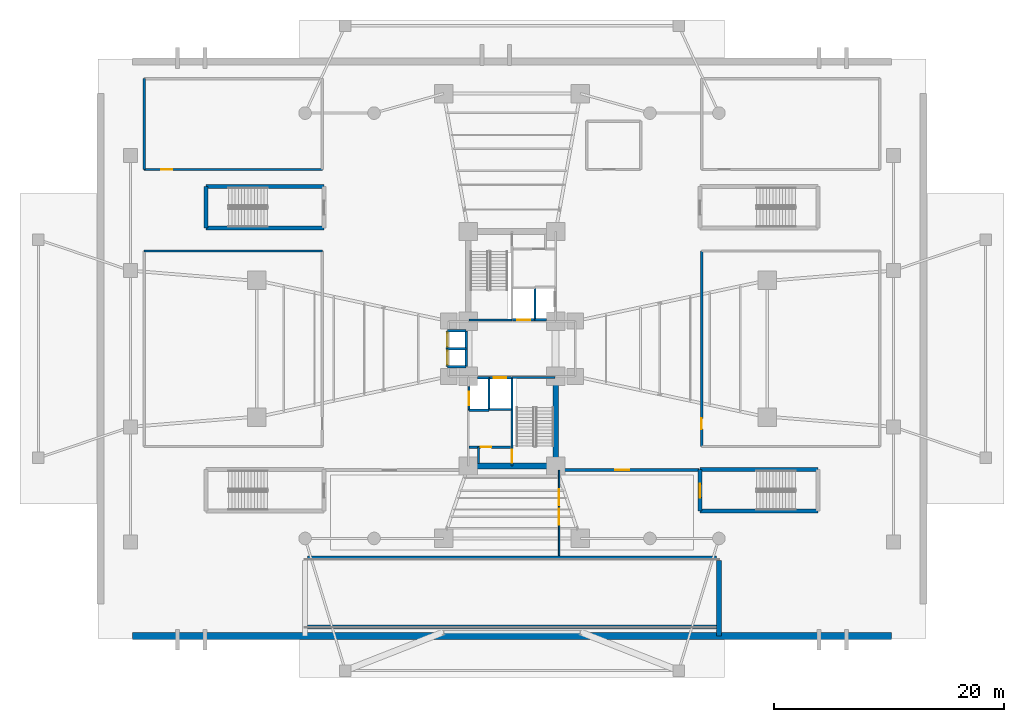
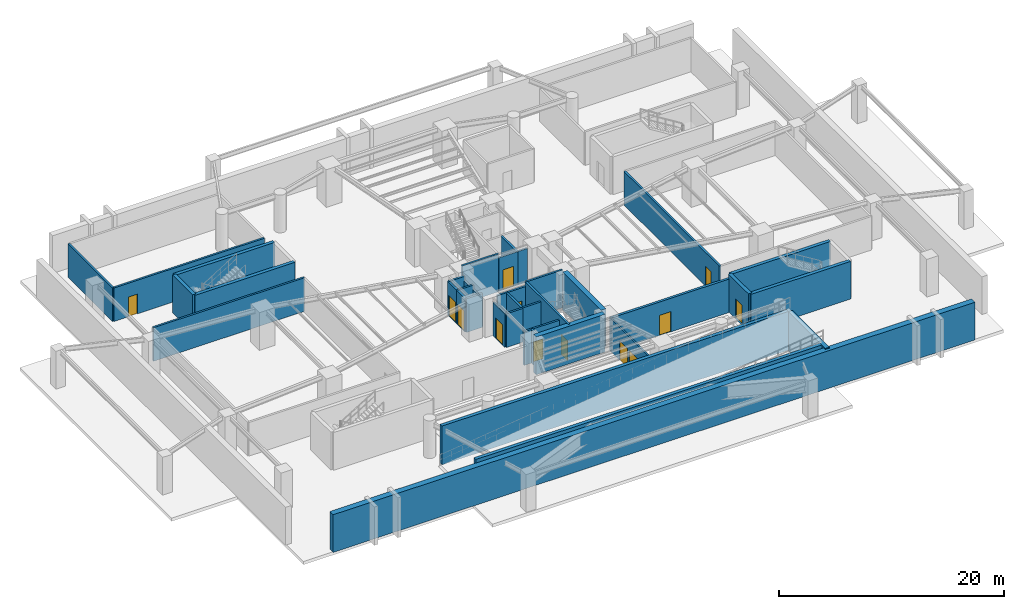
# One storey, part 8 of 14: 38 walls, 13 doors, 13 openings.
"""IFC4 building model written with IfcOpenShell, lengths in metres."""

from ifc_helpers import new_model, si_unit, direction, frame, frame_2d, origin, origin_2d, place, context, subcontext, project, spatial, rectangle, extrude, source, transform, mapped, material, layer, layer_set, type_object, element, fill, save


model = new_model("IFC4")

# Units and contexts
model_context = context("Model", 3, precision=1e-05, world=origin(), true_north=direction((0.0, 1.0)))
body_context = subcontext(model_context, "Body", "Model", "MODEL_VIEW")
ifc_project = project(units=[si_unit("LENGTHUNIT", "METRE"), si_unit("AREAUNIT", "SQUARE_METRE"), si_unit("VOLUMEUNIT", "CUBIC_METRE"), si_unit("PLANEANGLEUNIT", "RADIAN"), si_unit("MASSUNIT", "GRAM", prefix="KILO")], contexts=[model_context])

# Site, building, storey
site_placement = place(None, origin())
site = spatial("IfcSite", under=ifc_project, at=site_placement, CompositionType="ELEMENT")
building_placement = place(site_placement, origin())
building = spatial("IfcBuilding", under=site, at=building_placement, Name="Sahyath Konkavel Grand Hotel", CompositionType="ELEMENT")
storey_placement = place(building_placement, frame((0.0, 0.0, -4.5)))
storey = spatial("IfcBuildingStorey", under=building, at=storey_placement, Name="B1", CompositionType="ELEMENT", Elevation=-4.5)

# Walls
ifc_material_1 = material(Name="Concrete C50/60", Category="concrete")
ifc_layer_1 = layer(ifc_material_1, 0.60009765625)
ifc_layer_set_1 = layer_set([ifc_layer_1], Name="Concrete C50/60")
wall_type_1 = type_object("IfcWallType", Name="BWALL-600", PredefinedType="SOLIDWALL", material=ifc_layer_set_1)
wall_1_placement = place(storey_placement, frame((33.0, -25.0, 0.0), z_axis=(0.0, 0.0, 1.0), x_axis=(-1.0, 0.0, 0.0)))
element("IfcWall", 1, at=wall_1_placement, inside=storey, type_object=wall_type_1, Name="B1 Perimeter Retaining Wall S", PredefinedType="SOLIDWALL", context=body_context, shape_type="SweptSolid", body=[
    extrude(rectangle(XDim=66.0, YDim=0.60009765625, at=frame_2d((33.0, 0.0))), origin(), (0.0, 0.0, 1.0), 4.10009765625),
])
ifc_material_2 = material(Name="Concrete C40/50", Category="concrete")
ifc_layer_2 = layer(ifc_material_2, 0.35009765625)
ifc_layer_set_2 = layer_set([ifc_layer_2], Name="Concrete C40/50")
wall_type_2 = type_object("IfcWallType", Name="CWALL-350", PredefinedType="SHEAR", material=ifc_layer_set_2)
for number, where, z_axis, x_axis, name in (
    (2, (-17.800048828125, -18.199951171875, 0.0), (0.0, 0.0, 1.0), (1.0, 0.0, 0.0), "Vehicle Ramp Side Support Wall N-B1"),
    (3, (-17.800048828125, -24.199951171875, 0.0), (0.0, 0.0, 1.0), (1.0, 0.0, 0.0), "Vehicle Ramp Side Support Wall S-B1"),
):
    element("IfcWall", number, at=place(storey_placement, frame(where, z_axis=z_axis, x_axis=x_axis)), inside=storey, type_object=wall_type_2, Name=name, PredefinedType="SHEAR", context=body_context, shape_type="SweptSolid", body=[
        extrude(rectangle(XDim=35.60009765625, YDim=0.35009765625, at=frame_2d((17.800048828125, 0.0))), origin(), (0.0, 0.0, 1.0), 4.219970703125),
    ])
for number, where, z_axis, x_axis, name in (
    (4, (-26.60009765625, 14.10009765625, 0.0), (0.0, 0.0, 1.0), (1.0, 0.0, 0.0), "B1 Partition ST-P1-N"),
    (5, (-26.60009765625, 10.52001953125, 0.0), (0.0, 0.0, 1.0), (1.0, 0.0, 0.0), "B1 Partition ST-P1-S"),
):
    element("IfcWall", number, at=place(storey_placement, frame(where, z_axis=z_axis, x_axis=x_axis)), inside=storey, type_object=wall_type_2, Name=name, PredefinedType="SHEAR", context=body_context, shape_type="SweptSolid", body=[
        extrude(rectangle(XDim=10.25, YDim=0.35009765625, at=frame_2d((5.125, 0.0))), origin(), (0.0, 0.0, 1.0), 4.10009765625),
    ])
wall_2_placement = place(storey_placement, frame((-26.60009765625, 10.52001953125, 0.0), z_axis=(0.0, 0.0, 1.0), x_axis=(0.0, 1.0, 0.0)))
element("IfcWall", 6, at=wall_2_placement, inside=storey, type_object=wall_type_2, Name="B1 Partition ST-P1-W", PredefinedType="SHEAR", context=body_context, shape_type="SweptSolid", body=[
    extrude(rectangle(XDim=3.580078125, YDim=0.35009765625, at=frame_2d((1.7900390625, 0.0))), origin(), (0.0, 0.0, 1.0), 4.10009765625),
])
for number, where, z_axis, x_axis, name in (
    (7, (16.35009765625, -10.52001953125, 0.0), (0.0, 0.0, 1.0), (1.0, 0.0, 0.0), "B1 Partition ST-P4-N"),
    (8, (16.35009765625, -14.10009765625, 0.0), (0.0, 0.0, 1.0), (1.0, 0.0, 0.0), "B1 Partition ST-P4-S"),
):
    element("IfcWall", number, at=place(storey_placement, frame(where, z_axis=z_axis, x_axis=x_axis)), inside=storey, type_object=wall_type_2, Name=name, PredefinedType="SHEAR", context=body_context, shape_type="SweptSolid", body=[
        extrude(rectangle(XDim=10.25, YDim=0.35009765625, at=frame_2d((5.125, 0.0))), origin(), (0.0, 0.0, 1.0), 4.10009765625),
    ])

# Wall, opening, door
wall_3_placement = place(storey_placement, frame((16.35009765625, -14.10009765625, 0.0), z_axis=(0.0, 0.0, 1.0), x_axis=(0.0, 1.0, 0.0)))
wall_3 = element("IfcWall", 9, at=wall_3_placement, inside=storey, type_object=wall_type_2, Name="B1 Partition ST-P4-W", PredefinedType="SHEAR", context=body_context, shape_type="SweptSolid", body=[
    extrude(rectangle(XDim=3.580078125, YDim=0.35009765625, at=frame_2d((1.7900390625, 0.0))), origin(), (0.0, 0.0, 1.0), 4.10009765625),
])
opening_1_placement = place(wall_3_placement, frame((1.14990234375, 0.0, 0.0)))
opening_1 = element("IfcOpeningElement", 10, at=opening_1_placement, cuts=wall_3, Name="Opening D-F12A", PredefinedType="OPENING", context=body_context, shape_type="SweptSolid", body=[
    extrude(rectangle(XDim=1.199951171875, YDim=2.199951171875, at=frame_2d((0.60009765625, 1.10009765625))), frame((0.0, 0.18505859375, 0.0), z_axis=(0.0, -1.0, 0.0), x_axis=(1.0, 0.0, 0.0)), (0.0, 0.0, 1.0), 0.3701171875),
])
ifc_material_3 = material(Name="Steel E350 Fire Door", Category="steel")
door_type_1 = type_object("IfcDoorType", Name="DR-FD120-1200", OperationType="NOTDEFINED", PredefinedType="DOOR", material=ifc_material_3)
shared_shape_1 = source(origin(), body_context, "Body", "SweptSolid", [
    extrude(rectangle(XDim=1.199951171875, YDim=0.050048828125, at=origin_2d()), origin(), (0.0, 0.0, 1.0), 2.199951171875),
])
door_1_placement = place(opening_1_placement, frame((0.60009765625, 0.0, 0.0)))
door_1 = element("IfcDoor", 11, at=door_1_placement, inside=storey, type_object=door_type_1, Name="B1 ST-P4 Fire Door", OperationType="SINGLE_SWING_RIGHT", OverallHeight=2.199951171875, OverallWidth=1.199951171875, PredefinedType="DOOR", context=body_context, shape_type="MappedRepresentation", body=[
    mapped(shared_shape_1, transform((0.0, 0.0, 0.0), scale=1.0)),
])
fill(opening_1, door_1)

# Walls
ifc_layer_3 = layer(ifc_material_1, 0.419921875)
ifc_layer_set_3 = layer_set([ifc_layer_3], Name="Concrete C50/60")
wall_type_3 = type_object("IfcWallType", Name="CWALL-420", PredefinedType="SHEAR", material=ifc_layer_set_3)
wall_4_placement = place(storey_placement, frame((18.0, -25.0, 0.0), z_axis=(0.0, 0.0, 1.0), x_axis=(0.0, 1.0, 0.0)))
element("IfcWall", 12, at=wall_4_placement, inside=storey, type_object=wall_type_3, Name="Vehicle Ramp Bearing Wall VR-B1-TOPE", PredefinedType="SHEAR", context=body_context, shape_type="SweptSolid", body=[
    extrude(rectangle(XDim=6.60009765625, YDim=0.419921875, at=frame_2d((3.300048828125, 0.0))), origin(), (0.0, 0.0, 1.0), 4.219970703125),
])
ifc_material_4 = material(Name="Concrete C70/85", Category="concrete")
ifc_layer_4 = layer(ifc_material_4, 0.5)
ifc_layer_set_4 = layer_set([ifc_layer_4], Name="Concrete C70/85")
wall_type_4 = type_object("IfcWallType", Name="CWALL-500", PredefinedType="SHEAR", material=ifc_layer_set_4)
wall_5_placement = place(storey_placement, frame((-3.550048828125, -10.199951171875, 0.0), z_axis=(0.0, 0.0, 1.0), x_axis=(1.0, 0.0, 0.0)))
element("IfcWall", 13, at=wall_5_placement, inside=storey, type_object=wall_type_4, Name="B1 South Core Shear Wall S", PredefinedType="SHEAR", context=body_context, shape_type="SweptSolid", body=[
    extrude(rectangle(XDim=7.10009765625, YDim=0.5, at=frame_2d((3.550048828125, 0.0))), origin(), (0.0, 0.0, 1.0), 4.10009765625),
])
wall_6_placement = place(storey_placement, frame((3.800048828125, -9.75, 0.0), z_axis=(0.0, 0.0, 1.0), x_axis=(0.0, 1.0, 0.0)))
element("IfcWall", 14, at=wall_6_placement, inside=storey, type_object=wall_type_4, Name="B1 South Core Shear Wall E", PredefinedType="SHEAR", context=body_context, shape_type="SweptSolid", body=[
    extrude(rectangle(XDim=6.89990234375, YDim=0.5, at=frame_2d((3.449951171875, 0.0))), origin(), (0.0, 0.0, 1.0), 4.10009765625),
])
ifc_layer_5 = layer(ifc_material_2, 0.199951171875)
ifc_layer_set_5 = layer_set([ifc_layer_5], Name="Concrete C40/50")
wall_type_5 = type_object("IfcWallType", Name="WLL-CORE-200", PredefinedType="SOLIDWALL", material=ifc_layer_set_5)
wall_7_placement = place(storey_placement, frame((-3.719970703125, 2.5, 0.0), z_axis=(0.0, 0.0, 1.0), x_axis=(1.0, 0.0, 0.0)))
element("IfcWall", 15, at=wall_7_placement, inside=storey, type_object=wall_type_5, Name="B1 Stair ST-1 Shaft Wall S", PredefinedType="SOLIDWALL", context=body_context, shape_type="SweptSolid", body=[
    extrude(rectangle(XDim=3.719970703125, YDim=0.199951171875, at=frame_2d((1.85986328125, 0.0))), origin(), (0.0, 0.0, 1.0), 4.10009765625),
])

# Wall, opening, door
wall_8_placement = place(storey_placement, frame((0.0, -10.179931640625, 0.0), z_axis=(0.0, 0.0, 1.0), x_axis=(0.0, 1.0, 0.0)))
wall_8 = element("IfcWall", 16, at=wall_8_placement, inside=storey, type_object=wall_type_5, Name="B1 Stair ST-2 Shaft Wall W", PredefinedType="SOLIDWALL", context=body_context, shape_type="SweptSolid", body=[
    extrude(rectangle(XDim=7.679931640625, YDim=0.199951171875, at=frame_2d((3.83984375, 0.0))), origin(), (0.0, 0.0, 1.0), 4.10009765625),
])
opening_2_placement = place(wall_8_placement, frame((0.280029296875, 0.0, 0.0)))
opening_2 = element("IfcOpeningElement", 17, at=opening_2_placement, cuts=wall_8, Name="Opening D-F12B", PredefinedType="OPENING", context=body_context, shape_type="SweptSolid", body=[
    extrude(rectangle(XDim=1.10009765625, YDim=2.14990234375, at=frame_2d((0.550048828125, 1.074951171875))), frame((0.0, 0.10986328125, 0.0), z_axis=(0.0, -1.0, 0.0), x_axis=(1.0, 0.0, 0.0)), (0.0, 0.0, 1.0), 0.219970703125),
])
ifc_material_5 = material(Name="Steel E350 Smokeproof Fire Door", Category="steel")
door_type_2 = type_object("IfcDoorType", Name="DR-FD120-1100", OperationType="NOTDEFINED", PredefinedType="DOOR", material=ifc_material_5)
shared_shape_2 = source(origin(), body_context, "Body", "SweptSolid", [
    extrude(rectangle(XDim=1.10009765625, YDim=0.050048828125, at=origin_2d()), origin(), (0.0, 0.0, 1.0), 2.14990234375),
])
door_2_placement = place(opening_2_placement, frame((0.550048828125, 0.0, 0.0)))
door_2 = element("IfcDoor", 18, at=door_2_placement, inside=storey, type_object=door_type_2, Name="B1 Stair ST-2 Fire Door", OperationType="SINGLE_SWING_LEFT", OverallHeight=2.14990234375, OverallWidth=1.10009765625, PredefinedType="DOOR", context=body_context, shape_type="MappedRepresentation", body=[
    mapped(shared_shape_2, transform((0.0, 0.0, 0.0), scale=1.0)),
])
fill(opening_2, door_2)

# Walls
wall_9_placement = place(storey_placement, frame((0.0, -2.5, 0.0), z_axis=(0.0, 0.0, 1.0), x_axis=(1.0, 0.0, 0.0)))
element("IfcWall", 19, at=wall_9_placement, inside=storey, type_object=wall_type_5, Name="B1 Stair ST-2 Shaft Wall N", PredefinedType="SOLIDWALL", context=body_context, shape_type="SweptSolid", body=[
    extrude(rectangle(XDim=3.719970703125, YDim=0.199951171875, at=frame_2d((1.85986328125, 0.0))), origin(), (0.0, 0.0, 1.0), 4.10009765625),
])
wall_10_placement = place(storey_placement, frame((2.0, 2.5, 0.0), z_axis=(0.0, 0.0, 1.0), x_axis=(0.0, 1.0, 0.0)))
element("IfcWall", 20, at=wall_10_placement, inside=storey, type_object=wall_type_5, Name="B1 Partition SH-FFL1-E", PredefinedType="SOLIDWALL", context=body_context, shape_type="SweptSolid", body=[
    extrude(rectangle(XDim=2.780029296875, YDim=0.199951171875, at=frame_2d((1.39013671875, 0.0))), origin(), (0.0, 0.0, 1.0), 3.64990234375),
])

# Wall, opening, door
wall_11_placement = place(storey_placement, frame((0.050048828125, 2.52001953125, 0.0), z_axis=(0.0, 0.0, 1.0), x_axis=(1.0, 0.0, 0.0)))
wall_11 = element("IfcWall", 21, at=wall_11_placement, inside=storey, type_object=wall_type_5, Name="B1 Partition SH-FFL1-S", PredefinedType="SOLIDWALL", context=body_context, shape_type="SweptSolid", body=[
    extrude(rectangle(XDim=1.949951171875, YDim=0.199951171875, at=frame_2d((0.97509765625, 0.0))), origin(), (0.0, 0.0, 1.0), 3.64990234375),
])
opening_3_placement = place(wall_11_placement, frame((0.419921875, 0.0, 0.0)))
opening_3 = element("IfcOpeningElement", 22, at=opening_3_placement, cuts=wall_11, Name="Opening LD-11", PredefinedType="OPENING", context=body_context, shape_type="SweptSolid", body=[
    extrude(rectangle(XDim=1.10009765625, YDim=2.199951171875, at=frame_2d((0.550048828125, 1.10009765625))), frame((0.0, 0.10986328125, 0.0), z_axis=(0.0, -1.0, 0.0), x_axis=(1.0, 0.0, 0.0)), (0.0, 0.0, 1.0), 0.219970703125),
])
ifc_material_6 = material(Name="Bronze Lift Landing Door 1100")
door_type_3 = type_object("IfcDoorType", Name="DR-LIFT-1100", OperationType="DOUBLE_DOOR_SLIDING", PredefinedType="DOOR", material=ifc_material_6)
shared_shape_3 = source(origin(), body_context, "Body", "SweptSolid", [
    extrude(rectangle(XDim=1.10009765625, YDim=0.050048828125, at=origin_2d()), origin(), (0.0, 0.0, 1.0), 2.199951171875),
])
door_3_placement = place(opening_3_placement, frame((0.550048828125, 0.0, 0.0)))
door_3 = element("IfcDoor", 23, at=door_3_placement, inside=storey, type_object=door_type_3, Name="B1 Lift FFL-1 Landing Door", OperationType="DOUBLE_DOOR_SLIDING", OverallHeight=2.199951171875, OverallWidth=1.10009765625, PredefinedType="DOOR", context=body_context, shape_type="MappedRepresentation", body=[
    mapped(shared_shape_3, transform((0.0, 0.0, 0.0), scale=1.0)),
])
fill(opening_3, door_3)

# Walls
wall_12_placement = place(storey_placement, frame((-2.0, -5.280029296875, 0.0), z_axis=(0.0, 0.0, 1.0), x_axis=(0.0, 1.0, 0.0)))
element("IfcWall", 24, at=wall_12_placement, inside=storey, type_object=wall_type_5, Name="B1 Partition SH-FFL2-W", PredefinedType="SOLIDWALL", context=body_context, shape_type="SweptSolid", body=[
    extrude(rectangle(XDim=2.780029296875, YDim=0.199951171875, at=frame_2d((1.39013671875, 0.0))), origin(), (0.0, 0.0, 1.0), 3.64990234375),
])
wall_13_placement = place(storey_placement, frame((-2.0, -5.280029296875, 0.0), z_axis=(0.0, 0.0, 1.0), x_axis=(1.0, 0.0, 0.0)))
element("IfcWall", 25, at=wall_13_placement, inside=storey, type_object=wall_type_5, Name="B1 Partition SH-FFL2-S", PredefinedType="SOLIDWALL", context=body_context, shape_type="SweptSolid", body=[
    extrude(rectangle(XDim=1.949951171875, YDim=0.199951171875, at=frame_2d((0.97509765625, 0.0))), origin(), (0.0, 0.0, 1.0), 3.64990234375),
])

# Wall, opening, door
wall_14_placement = place(storey_placement, frame((-2.0, -2.52001953125, 0.0), z_axis=(0.0, 0.0, 1.0), x_axis=(1.0, 0.0, 0.0)))
wall_14 = element("IfcWall", 26, at=wall_14_placement, inside=storey, type_object=wall_type_5, Name="B1 Partition SH-FFL2-N", PredefinedType="SOLIDWALL", context=body_context, shape_type="SweptSolid", body=[
    extrude(rectangle(XDim=1.949951171875, YDim=0.199951171875, at=frame_2d((0.97509765625, 0.0))), origin(), (0.0, 0.0, 1.0), 3.64990234375),
])
opening_4_placement = place(wall_14_placement, frame((0.419921875, 0.0, 0.0)))
opening_4 = element("IfcOpeningElement", 27, at=opening_4_placement, cuts=wall_14, Name="Opening LD-11", PredefinedType="OPENING", context=body_context, shape_type="SweptSolid", body=[
    extrude(rectangle(XDim=1.10009765625, YDim=2.199951171875, at=frame_2d((0.550048828125, 1.10009765625))), frame((0.0, 0.10986328125, 0.0), z_axis=(0.0, -1.0, 0.0), x_axis=(1.0, 0.0, 0.0)), (0.0, 0.0, 1.0), 0.219970703125),
])
door_4_placement = place(opening_4_placement, frame((0.550048828125, 0.0, 0.0)))
door_4 = element("IfcDoor", 28, at=door_4_placement, inside=storey, type_object=door_type_3, Name="B1 Lift FFL-2 Landing Door", OperationType="DOUBLE_DOOR_SLIDING", OverallHeight=2.199951171875, OverallWidth=1.10009765625, PredefinedType="DOOR", context=body_context, shape_type="MappedRepresentation", body=[
    mapped(shared_shape_3, transform((0.0, 0.0, 0.0), scale=1.0)),
])
fill(opening_4, door_4)

# Walls
for number, where, z_axis, x_axis, name in (
    (29, (2.0, 2.52001953125, 0.0), (0.0, 0.0, 1.0), (1.0, 0.0, 0.0), "B1 Partition SH-SVL1-S"),
    (30, (-3.0, -2.52001953125, 0.0), (0.0, 0.0, 1.0), (1.0, 0.0, 0.0), "B1 Partition SH-SVL2-N"),
):
    element("IfcWall", number, at=place(storey_placement, frame(where, z_axis=z_axis, x_axis=x_axis)), inside=storey, type_object=wall_type_5, Name=name, PredefinedType="SOLIDWALL", context=body_context, shape_type="SweptSolid", body=[
        extrude(rectangle(XDim=1.0, YDim=0.199951171875, at=frame_2d((0.5, 0.0))), origin(), (0.0, 0.0, 1.0), 3.64990234375),
    ])
wall_15_placement = place(storey_placement, frame((-3.739990234375, -5.360107421875, 0.0), z_axis=(0.0, 0.0, 1.0), x_axis=(1.0, 0.0, 0.0)))
element("IfcWall", 31, at=wall_15_placement, inside=storey, type_object=wall_type_5, Name="B1 Partition SH-SVL2-S", PredefinedType="SOLIDWALL", context=body_context, shape_type="SweptSolid", body=[
    extrude(rectangle(XDim=1.739990234375, YDim=0.199951171875, at=frame_2d((0.8701171875, 0.0))), origin(), (0.0, 0.0, 1.0), 3.64990234375),
])

# Wall, opening, door
wall_16_placement = place(storey_placement, frame((-3.739990234375, -5.360107421875, 0.0), z_axis=(0.0, 0.0, 1.0), x_axis=(0.0, 1.0, 0.0)))
wall_16 = element("IfcWall", 32, at=wall_16_placement, inside=storey, type_object=wall_type_5, Name="B1 Partition SH-SVL2-W", PredefinedType="SOLIDWALL", context=body_context, shape_type="SweptSolid", body=[
    extrude(rectangle(XDim=2.080078125, YDim=0.199951171875, at=frame_2d((1.0400390625, 0.0))), origin(), (0.0, 0.0, 1.0), 3.64990234375),
])
opening_5_placement = place(wall_16_placement, frame((0.43994140625, 0.0, 0.0)))
opening_5 = element("IfcOpeningElement", 33, at=opening_5_placement, cuts=wall_16, Name="Opening LD-12", PredefinedType="OPENING", context=body_context, shape_type="SweptSolid", body=[
    extrude(rectangle(XDim=1.199951171875, YDim=2.199951171875, at=frame_2d((0.60009765625, 1.10009765625))), frame((0.0, 0.10986328125, 0.0), z_axis=(0.0, -1.0, 0.0), x_axis=(1.0, 0.0, 0.0)), (0.0, 0.0, 1.0), 0.219970703125),
])
ifc_material_7 = material(Name="Stainless Steel Lift Landing Door 1200", Category="steel")
door_type_4 = type_object("IfcDoorType", Name="DR-LIFT-1200", OperationType="DOUBLE_DOOR_SLIDING", PredefinedType="DOOR", material=ifc_material_7)
door_5_placement = place(opening_5_placement, frame((0.60009765625, 0.0, 0.0)))
door_5 = element("IfcDoor", 34, at=door_5_placement, inside=storey, type_object=door_type_4, Name="B1 Service Lift SVL-2 Landing Door", OperationType="DOUBLE_DOOR_SLIDING", OverallHeight=2.199951171875, OverallWidth=1.199951171875, PredefinedType="DOOR", context=body_context, shape_type="MappedRepresentation", body=[
    mapped(shared_shape_1, transform((0.0, 0.0, 0.0), scale=1.0)),
])
fill(opening_5, door_5)

# Walls
wall_17_placement = place(storey_placement, frame((-3.97998046875, -1.56005859375, 0.0), z_axis=(0.0, 0.0, 1.0), x_axis=(0.0, 1.0, 0.0)))
element("IfcWall", 35, at=wall_17_placement, inside=storey, type_object=wall_type_5, Name="B1 Partition SH-SL12-E", PredefinedType="SOLIDWALL", context=body_context, shape_type="SweptSolid", body=[
    extrude(rectangle(XDim=3.1201171875, YDim=0.199951171875, at=frame_2d((1.56005859375, 0.0))), origin(), (0.0, 0.0, 1.0), 3.169921875),
])
for number, where, z_axis, x_axis, name in (
    (36, (-5.6201171875, 1.56005859375, 0.0), (0.0, 0.0, 1.0), (1.0, 0.0, 0.0), "B1 Partition SH-SL12-N"),
    (37, (-5.6201171875, -1.56005859375, 0.0), (0.0, 0.0, 1.0), (1.0, 0.0, 0.0), "B1 Partition SH-SL12-S"),
    (38, (-5.6201171875, 0.0, 0.0), (0.0, 0.0, 1.0), (1.0, 0.0, 0.0), "B1 Partition SH-SL12-M"),
):
    element("IfcWall", number, at=place(storey_placement, frame(where, z_axis=z_axis, x_axis=x_axis)), inside=storey, type_object=wall_type_5, Name=name, PredefinedType="SOLIDWALL", context=body_context, shape_type="SweptSolid", body=[
        extrude(rectangle(XDim=1.64013671875, YDim=0.199951171875, at=frame_2d((0.820068359375, 0.0))), origin(), (0.0, 0.0, 1.0), 3.64990234375),
    ])

# Wall, opening, door
wall_18_placement = place(storey_placement, frame((-5.6201171875, 0.0, 0.0), z_axis=(0.0, 0.0, 1.0), x_axis=(0.0, 1.0, 0.0)))
wall_18 = element("IfcWall", 39, at=wall_18_placement, inside=storey, type_object=wall_type_5, Name="B1 Partition SH-SL1-W", PredefinedType="SOLIDWALL", context=body_context, shape_type="SweptSolid", body=[
    extrude(rectangle(XDim=1.56005859375, YDim=0.199951171875, at=frame_2d((0.780029296875, 0.0))), origin(), (0.0, 0.0, 1.0), 3.64990234375),
])
opening_6_placement = place(wall_18_placement, frame((0.179931640625, 0.0, 0.0)))
opening_6 = element("IfcOpeningElement", 40, at=opening_6_placement, cuts=wall_18, Name="Opening LD-12", PredefinedType="OPENING", context=body_context, shape_type="SweptSolid", body=[
    extrude(rectangle(XDim=1.199951171875, YDim=2.199951171875, at=frame_2d((0.60009765625, 1.10009765625))), frame((0.0, 0.10986328125, 0.0), z_axis=(0.0, -1.0, 0.0), x_axis=(1.0, 0.0, 0.0)), (0.0, 0.0, 1.0), 0.219970703125),
])
door_6_placement = place(opening_6_placement, frame((0.60009765625, 0.0, 0.0)))
door_6 = element("IfcDoor", 41, at=door_6_placement, inside=storey, type_object=door_type_4, Name="B1 Express Shuttle SL-1 Landing Door", OperationType="DOUBLE_DOOR_SLIDING", OverallHeight=2.199951171875, OverallWidth=1.199951171875, PredefinedType="DOOR", context=body_context, shape_type="MappedRepresentation", body=[
    mapped(shared_shape_1, transform((0.0, 0.0, 0.0), scale=1.0)),
])
fill(opening_6, door_6)

wall_19_placement = place(storey_placement, frame((-5.6201171875, -1.56005859375, 0.0), z_axis=(0.0, 0.0, 1.0), x_axis=(0.0, 1.0, 0.0)))
wall_19 = element("IfcWall", 42, at=wall_19_placement, inside=storey, type_object=wall_type_5, Name="B1 Partition SH-SL2-W", PredefinedType="SOLIDWALL", context=body_context, shape_type="SweptSolid", body=[
    extrude(rectangle(XDim=1.56005859375, YDim=0.199951171875, at=frame_2d((0.780029296875, 0.0))), origin(), (0.0, 0.0, 1.0), 3.64990234375),
])
opening_7_placement = place(wall_19_placement, frame((0.179931640625, 0.0, 0.0)))
opening_7 = element("IfcOpeningElement", 43, at=opening_7_placement, cuts=wall_19, Name="Opening LD-12", PredefinedType="OPENING", context=body_context, shape_type="SweptSolid", body=[
    extrude(rectangle(XDim=1.199951171875, YDim=2.199951171875, at=frame_2d((0.60009765625, 1.10009765625))), frame((0.0, 0.10986328125, 0.0), z_axis=(0.0, -1.0, 0.0), x_axis=(1.0, 0.0, 0.0)), (0.0, 0.0, 1.0), 0.219970703125),
])
door_7_placement = place(opening_7_placement, frame((0.60009765625, 0.0, 0.0)))
door_7 = element("IfcDoor", 44, at=door_7_placement, inside=storey, type_object=door_type_4, Name="B1 Express Shuttle SL-2 Landing Door", OperationType="DOUBLE_DOOR_SLIDING", OverallHeight=2.199951171875, OverallWidth=1.199951171875, PredefinedType="DOOR", context=body_context, shape_type="MappedRepresentation", body=[
    mapped(shared_shape_1, transform((0.0, 0.0, 0.0), scale=1.0)),
])
fill(opening_7, door_7)

wall_20_placement = place(storey_placement, frame((-3.739990234375, -8.56005859375, 0.0), z_axis=(0.0, 0.0, 1.0), x_axis=(1.0, 0.0, 0.0)))
wall_20 = element("IfcWall", 45, at=wall_20_placement, inside=storey, type_object=wall_type_5, Name="B1 South FF Lobby Separation Wall", PredefinedType="SOLIDWALL", context=body_context, shape_type="SweptSolid", body=[
    extrude(rectangle(XDim=3.619873046875, YDim=0.199951171875, at=frame_2d((1.81005859375, 0.0))), origin(), (0.0, 0.0, 1.0), 3.64990234375),
])
opening_8_placement = place(wall_20_placement, frame((1.0, 0.0, 0.0)))
opening_8 = element("IfcOpeningElement", 46, at=opening_8_placement, cuts=wall_20, Name="Opening D-F12C", PredefinedType="OPENING", context=body_context, shape_type="SweptSolid", body=[
    extrude(rectangle(XDim=0.949951171875, YDim=2.14990234375, at=frame_2d((0.47509765625, 1.074951171875))), frame((0.0, 0.10986328125, 0.0), z_axis=(0.0, -1.0, 0.0), x_axis=(1.0, 0.0, 0.0)), (0.0, 0.0, 1.0), 0.219970703125),
])
ifc_material_8 = material(Name="Steel E350 Plant Fire Door", Category="steel")
door_type_5 = type_object("IfcDoorType", Name="DR-FD120-950", OperationType="NOTDEFINED", PredefinedType="DOOR", material=ifc_material_8)
shared_shape_4 = source(origin(), body_context, "Body", "SweptSolid", [
    extrude(rectangle(XDim=0.949951171875, YDim=0.050048828125, at=origin_2d()), origin(), (0.0, 0.0, 1.0), 2.14990234375),
])
door_8_placement = place(opening_8_placement, frame((0.47509765625, 0.0, 0.0)))
door_8 = element("IfcDoor", 47, at=door_8_placement, inside=storey, type_object=door_type_5, Name="B1 South Firefighting Lobby Door", OperationType="SINGLE_SWING_RIGHT", OverallHeight=2.14990234375, OverallWidth=0.949951171875, PredefinedType="DOOR", context=body_context, shape_type="MappedRepresentation", body=[
    mapped(shared_shape_4, transform((0.0, 0.0, 0.0), scale=1.0)),
])
fill(opening_8, door_8)

# Walls
wall_21_placement = place(storey_placement, frame((-2.919921875, -10.0, 0.0), z_axis=(0.0, 0.0, 1.0), x_axis=(0.0, 1.0, 0.0)))
element("IfcWall", 48, at=wall_21_placement, inside=storey, type_object=wall_type_5, Name="B1 Partition SFF-W2", PredefinedType="SOLIDWALL", context=body_context, shape_type="SweptSolid", body=[
    extrude(rectangle(XDim=1.43994140625, YDim=0.199951171875, at=frame_2d((0.719970703125, 0.0))), origin(), (0.0, 0.0, 1.0), 3.64990234375),
])
wall_22_placement = place(storey_placement, frame((-32.0, 8.5, 0.0), z_axis=(0.0, 0.0, 1.0), x_axis=(1.0, 0.0, 0.0)))
element("IfcWall", 49, at=wall_22_placement, inside=storey, type_object=wall_type_5, Name="B1 Partition B1-CHIL-N", PredefinedType="SOLIDWALL", context=body_context, shape_type="SweptSolid", body=[
    extrude(rectangle(XDim=15.5, YDim=0.199951171875, at=frame_2d((7.75, 0.0))), origin(), (0.0, 0.0, 1.0), 3.64990234375),
])

# Wall, opening, door
wall_23_placement = place(storey_placement, frame((16.5, -8.5, 0.0), z_axis=(0.0, 0.0, 1.0), x_axis=(0.0, 1.0, 0.0)))
wall_23 = element("IfcWall", 50, at=wall_23_placement, inside=storey, type_object=wall_type_5, Name="B1 Partition B1-SUBS-W", PredefinedType="SOLIDWALL", context=body_context, shape_type="SweptSolid", body=[
    extrude(rectangle(XDim=17.0, YDim=0.199951171875, at=frame_2d((8.5, 0.0))), origin(), (0.0, 0.0, 1.0), 3.64990234375),
])
opening_9_placement = place(wall_23_placement, frame((1.5, 0.0, 0.0)))
opening_9 = element("IfcOpeningElement", 51, at=opening_9_placement, cuts=wall_23, Name="Opening D-F06B", PredefinedType="OPENING", context=body_context, shape_type="SweptSolid", body=[
    extrude(rectangle(XDim=0.949951171875, YDim=2.14990234375, at=frame_2d((0.47509765625, 1.074951171875))), frame((0.0, 0.10986328125, 0.0), z_axis=(0.0, -1.0, 0.0), x_axis=(1.0, 0.0, 0.0)), (0.0, 0.0, 1.0), 0.219970703125),
])
ifc_material_9 = material(Name="Teak Veneer Fire-Rated Guest Entrance Door")
door_type_6 = type_object("IfcDoorType", Name="DR-FD60-950", OperationType="NOTDEFINED", PredefinedType="DOOR", material=ifc_material_9)
door_9_placement = place(opening_9_placement, frame((0.47509765625, 0.0, 0.0)))
door_9 = element("IfcDoor", 52, at=door_9_placement, inside=storey, type_object=door_type_6, Name="B1 Door B1-SUBS-D", OperationType="SINGLE_SWING_RIGHT", OverallHeight=2.14990234375, OverallWidth=0.949951171875, PredefinedType="DOOR", context=body_context, shape_type="MappedRepresentation", body=[
    mapped(shared_shape_4, transform((0.0, 0.0, 0.0), scale=1.0)),
])
fill(opening_9, door_9)

wall_24_placement = place(storey_placement, frame((-32.0, 15.60009765625, 0.0), z_axis=(0.0, 0.0, 1.0), x_axis=(1.0, 0.0, 0.0)))
wall_24 = element("IfcWall", 53, at=wall_24_placement, inside=storey, type_object=wall_type_5, Name="B1 Partition B1-DGEN-S", PredefinedType="SOLIDWALL", context=body_context, shape_type="SweptSolid", body=[
    extrude(rectangle(XDim=15.5, YDim=0.199951171875, at=frame_2d((7.75, 0.0))), origin(), (0.0, 0.0, 1.0), 3.64990234375),
])
opening_10_placement = place(wall_24_placement, frame((1.5, 0.0, 0.0)))
opening_10 = element("IfcOpeningElement", 54, at=opening_10_placement, cuts=wall_24, Name="Opening D-F06B", PredefinedType="OPENING", context=body_context, shape_type="SweptSolid", body=[
    extrude(rectangle(XDim=0.949951171875, YDim=2.14990234375, at=frame_2d((0.47509765625, 1.074951171875))), frame((0.0, 0.10986328125, 0.0), z_axis=(0.0, -1.0, 0.0), x_axis=(1.0, 0.0, 0.0)), (0.0, 0.0, 1.0), 0.219970703125),
])
door_10_placement = place(opening_10_placement, frame((0.47509765625, 0.0, 0.0)))
door_10 = element("IfcDoor", 55, at=door_10_placement, inside=storey, type_object=door_type_6, Name="B1 Door B1-DGEN-D", OperationType="SINGLE_SWING_LEFT", OverallHeight=2.14990234375, OverallWidth=0.949951171875, PredefinedType="DOOR", context=body_context, shape_type="MappedRepresentation", body=[
    mapped(shared_shape_4, transform((0.0, 0.0, 0.0), scale=1.0)),
])
fill(opening_10, door_10)

# Wall
wall_25_placement = place(storey_placement, frame((-32.0, 15.60009765625, 0.0), z_axis=(0.0, 0.0, 1.0), x_axis=(0.0, 1.0, 0.0)))
element("IfcWall", 56, at=wall_25_placement, inside=storey, type_object=wall_type_5, Name="B1 Partition B1-DGEN-W", PredefinedType="SOLIDWALL", context=body_context, shape_type="SweptSolid", body=[
    extrude(rectangle(XDim=7.89990234375, YDim=0.199951171875, at=frame_2d((3.949951171875, 0.0))), origin(), (0.0, 0.0, 1.0), 3.64990234375),
])

# Wall, opening, door
ifc_layer_6 = layer(ifc_material_2, 0.25)
ifc_layer_set_6 = layer_set([ifc_layer_6], Name="Concrete C40/50")
wall_type_6 = type_object("IfcWallType", Name="WLL-FIRE-240", PredefinedType="SOLIDWALL", material=ifc_layer_set_6)
wall_26_placement = place(storey_placement, frame((4.0, -10.550048828125, 0.0), z_axis=(0.0, 0.0, 1.0), x_axis=(1.0, 0.0, 0.0)))
wall_26 = element("IfcWall", 57, at=wall_26_placement, inside=storey, type_object=wall_type_6, Name="B1 Partition METRO-BAR-E", PredefinedType="SOLIDWALL", context=body_context, shape_type="SweptSolid", body=[
    extrude(rectangle(XDim=12.25, YDim=0.25, at=frame_2d((6.125, 0.0))), origin(), (0.0, 0.0, 1.0), 3.64990234375),
])
opening_11_placement = place(wall_26_placement, frame((5.0, 0.0, 0.0)))
opening_11 = element("IfcOpeningElement", 58, at=opening_11_placement, cuts=wall_26, Name="Opening D-F12A", PredefinedType="OPENING", context=body_context, shape_type="SweptSolid", body=[
    extrude(rectangle(XDim=1.199951171875, YDim=2.199951171875, at=frame_2d((0.60009765625, 1.10009765625))), frame((0.0, 0.135009765625, 0.0), z_axis=(0.0, -1.0, 0.0), x_axis=(1.0, 0.0, 0.0)), (0.0, 0.0, 1.0), 0.27001953125),
])
door_11_placement = place(opening_11_placement, frame((0.60009765625, 0.0, 0.0)))
door_11 = element("IfcDoor", 59, at=door_11_placement, inside=storey, type_object=door_type_1, Name="B1 Door METRO-LOCK-E", OperationType="SINGLE_SWING_RIGHT", OverallHeight=2.199951171875, OverallWidth=1.199951171875, PredefinedType="DOOR", context=body_context, shape_type="MappedRepresentation", body=[
    mapped(shared_shape_1, transform((0.0, 0.0, 0.0), scale=1.0)),
])
fill(opening_11, door_11)

# Wall, openings, doors
ifc_material_10 = material(Name="Fire-Rated Gypsum Plasterboard Partition")
ifc_layer_7 = layer(ifc_material_10, 0.14990234375)
ifc_layer_set_7 = layer_set([ifc_layer_7], Name="Fire-Rated Gypsum Plasterboard Partition")
wall_type_7 = type_object("IfcWallType", Name="WLL-PART-150", PredefinedType="PARTITIONING", material=ifc_layer_set_7)
wall_27_placement = place(storey_placement, frame((4.10009765625, -18.0, 0.0), z_axis=(0.0, 0.0, 1.0), x_axis=(0.0, 1.0, 0.0)))
wall_27 = element("IfcWall", 60, at=wall_27_placement, inside=storey, type_object=wall_type_7, Name="B1 Partition M-TICK-W", PredefinedType="PARTITIONING", context=body_context, shape_type="SweptSolid", body=[
    extrude(rectangle(XDim=7.449951171875, YDim=0.14990234375, at=frame_2d((3.72509765625, 0.0))), origin(), (0.0, 0.0, 1.0), 3.570068359375),
])
opening_12_placement = place(wall_27_placement, frame((2.699951171875, 0.0, 0.0)))
opening_12 = element("IfcOpeningElement", 61, at=opening_12_placement, cuts=wall_27, Name="Opening D-GT14", PredefinedType="OPENING", context=body_context, shape_type="SweptSolid", body=[
    extrude(rectangle(XDim=1.39990234375, YDim=2.10009765625, at=frame_2d((0.699951171875, 1.050048828125))), frame((0.0, 0.0849609375, 0.0), z_axis=(0.0, -1.0, 0.0), x_axis=(1.0, 0.0, 0.0)), (0.0, 0.0, 1.0), 0.169921875),
])
opening_13_placement = place(wall_27_placement, frame((4.39990234375, 0.0, 0.0)))
opening_13 = element("IfcOpeningElement", 62, at=opening_13_placement, cuts=wall_27, Name="Opening D-GT14", PredefinedType="OPENING", context=body_context, shape_type="SweptSolid", body=[
    extrude(rectangle(XDim=1.39990234375, YDim=2.10009765625, at=frame_2d((0.699951171875, 1.050048828125))), frame((0.0, 0.0849609375, 0.0), z_axis=(0.0, -1.0, 0.0), x_axis=(1.0, 0.0, 0.0)), (0.0, 0.0, 1.0), 0.169921875),
])
ifc_material_11 = material(Name="Stainless Concourse Access Gate")
door_type_7 = type_object("IfcDoorType", Name="DR-GATE-1400", OperationType="DOUBLE_DOOR_SINGLE_SWING", PredefinedType="GATE", material=ifc_material_11)
shared_shape_5 = source(origin(), body_context, "Body", "SweptSolid", [
    extrude(rectangle(XDim=1.39990234375, YDim=0.050048828125, at=origin_2d()), origin(), (0.0, 0.0, 1.0), 2.10009765625),
])
door_12_placement = place(opening_12_placement, frame((0.699951171875, 0.0, 0.0)))
door_12 = element("IfcDoor", 63, at=door_12_placement, inside=storey, type_object=door_type_7, Name="B1 Door M-GATE-1", OperationType="DOUBLE_DOOR_SINGLE_SWING", OverallHeight=2.10009765625, OverallWidth=1.39990234375, PredefinedType="GATE", context=body_context, shape_type="MappedRepresentation", body=[
    mapped(shared_shape_5, transform((0.0, 0.0, 0.0), scale=1.0)),
])
fill(opening_12, door_12)
door_13_placement = place(opening_13_placement, frame((0.699951171875, 0.0, 0.0)))
door_13 = element("IfcDoor", 64, at=door_13_placement, inside=storey, type_object=door_type_7, Name="B1 Door M-GATE-2", OperationType="DOUBLE_DOOR_SINGLE_SWING", OverallHeight=2.10009765625, OverallWidth=1.39990234375, PredefinedType="GATE", context=body_context, shape_type="MappedRepresentation", body=[
    mapped(shared_shape_5, transform((0.0, 0.0, 0.0), scale=1.0)),
])
fill(opening_13, door_13)

save(model, "model.ifc")
